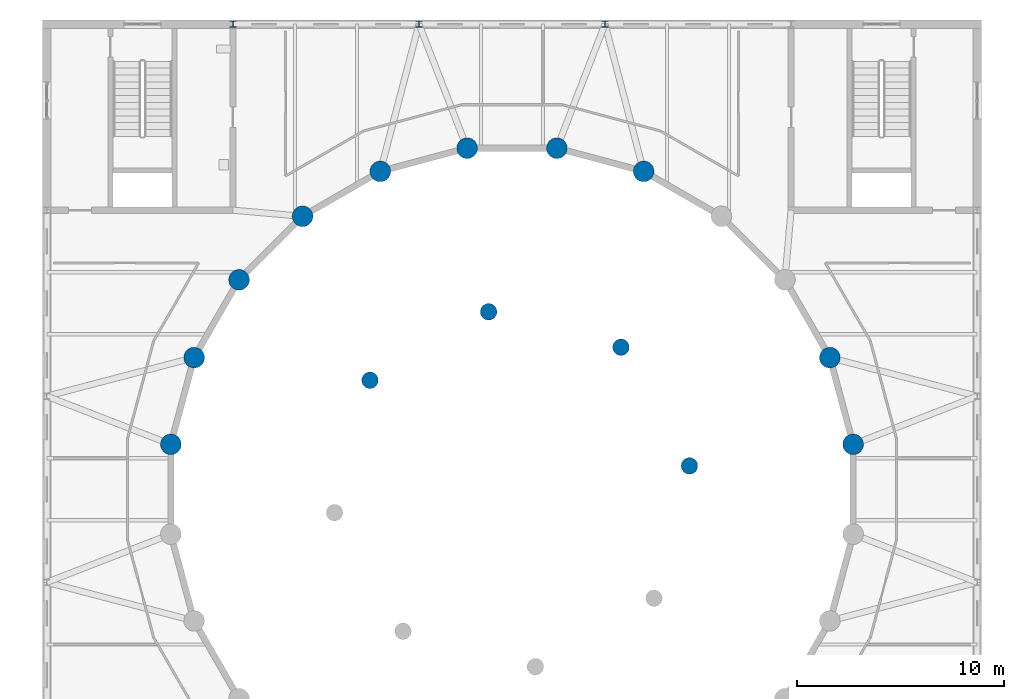
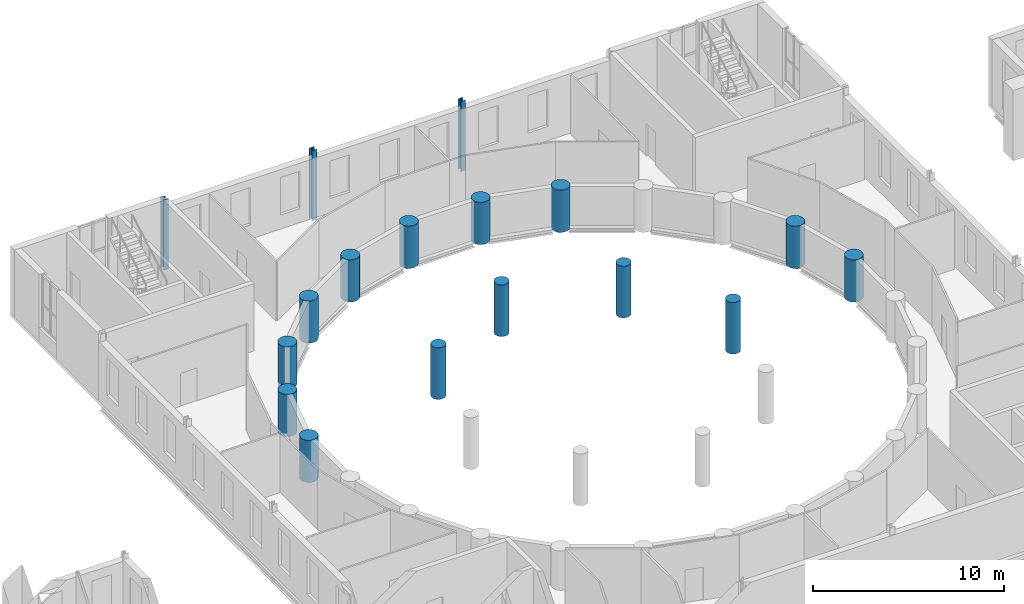
# One storey, part 14 of 134: 17 columns.
"""IFC4 building model written with IfcOpenShell, lengths in metres."""

from ifc_helpers import new_model, si_unit, direction, frame, origin, origin_2d, place, context, subcontext, project, spatial, circle, i_section, extrude, material, material_profile, profile_set, type_object, element, save


model = new_model("IFC4")

# Units and contexts
model_context = context("Model", 3, precision=1e-05, world=origin(), true_north=direction((0.0, 1.0)))
body_context = subcontext(model_context, "Body", "Model", "MODEL_VIEW")
ifc_project = project(units=[si_unit("LENGTHUNIT", "METRE"), si_unit("AREAUNIT", "SQUARE_METRE"), si_unit("VOLUMEUNIT", "CUBIC_METRE"), si_unit("PLANEANGLEUNIT", "RADIAN"), si_unit("MASSUNIT", "GRAM", prefix="KILO")], contexts=[model_context])

# Site, building, storey
site_placement = place(None, origin())
site = spatial("IfcSite", under=ifc_project, at=site_placement, CompositionType="ELEMENT")
building_placement = place(site_placement, origin())
building = spatial("IfcBuilding", under=site, at=building_placement, Name="Golden Quay Civic Hall", CompositionType="ELEMENT")
storey_placement = place(building_placement, frame((0.0, 0.0, 5.39990234375)))
storey = spatial("IfcBuildingStorey", under=building, at=storey_placement, Name="L01", CompositionType="ELEMENT", Elevation=5.39990234375)

# Columns
ifc_material_1 = material(Name="Concrete C50/60", Category="concrete")
ifc_material_profile_1 = material_profile(ifc_material_1, circle(Radius=0.5, at=origin_2d()), Name="RC D1000")
ifc_profile_set_1 = profile_set([ifc_material_profile_1], Name="Concrete C50/60")
column_type_1 = type_object("IfcColumnType", Name="Reinforced concrete column D1000", PredefinedType="COLUMN", material=ifc_profile_set_1)
for number, where, z_axis, x_axis, name in (
    (1, (102.0, 87.67236328125, -0.199951171875), (0.0, 0.0, 1.0), (1.0, 0.0, 0.0), "Rotunda colonnade column 1"),
    (2, (100.87548828125, 91.86865234375, -0.199951171875), (0.0, 0.0, 1.0), (1.0, 0.0, 0.0), "Rotunda colonnade column 2"),
    (3, (91.86865234375, 100.87548828125, -0.199951171875), (0.0, 0.0, 1.0), (1.0, 0.0, 0.0), "Rotunda colonnade column 5"),
    (4, (87.67236328125, 102.0, -0.199951171875), (0.0, 0.0, 1.0), (1.0, 0.0, 0.0), "Rotunda colonnade column 6"),
    (5, (83.32763671875, 102.0, -0.199951171875), (0.0, 0.0, 1.0), (1.0, 0.0, 0.0), "Rotunda colonnade column 7"),
    (6, (79.13134765625, 100.87548828125, -0.199951171875), (0.0, 0.0, 1.0), (1.0, 0.0, 0.0), "Rotunda colonnade column 8"),
    (7, (75.36865234375, 98.703369140625, -0.199951171875), (0.0, 0.0, 1.0), (1.0, 0.0, 0.0), "Rotunda colonnade column 9"),
    (8, (72.296630859375, 95.63134765625, -0.199951171875), (0.0, 0.0, 1.0), (1.0, 0.0, 0.0), "Rotunda colonnade column 10"),
    (9, (70.12451171875, 91.86865234375, -0.199951171875), (0.0, 0.0, 1.0), (1.0, 0.0, 0.0), "Rotunda colonnade column 11"),
    (10, (69.0, 87.67236328125, -0.199951171875), (0.0, 0.0, 1.0), (1.0, 0.0, 0.0), "Rotunda colonnade column 12"),
):
    element("IfcColumn", number, at=place(storey_placement, frame(where, z_axis=z_axis, x_axis=x_axis)), inside=storey, type_object=column_type_1, Name=name, PredefinedType="COLUMN", context=body_context, shape_type="SweptSolid", body=[
        extrude(circle(Radius=0.5, at=origin_2d()), origin(), (0.0, 0.0, 1.0), 2.699951171875),
    ])
ifc_material_2 = material(Name="Concrete C50/60", Category="concrete")
ifc_material_profile_2 = material_profile(ifc_material_2, circle(Radius=0.39990234375, at=origin_2d()), Name="RC D800")
ifc_profile_set_2 = profile_set([ifc_material_profile_2], Name="Concrete C50/60")
column_type_2 = type_object("IfcColumnType", Name="Reinforced concrete column D800", PredefinedType="COLUMN", material=ifc_profile_set_2)
for number, where, z_axis, x_axis, name in (
    (11, (94.0849609375, 86.630126953125, -0.199951171875), (0.0, 0.0, 1.0), (1.0, 0.0, 0.0), "Rotunda inner column 1"),
    (12, (90.771240234375, 92.369873046875, -0.199951171875), (0.0, 0.0, 1.0), (1.0, 0.0, 0.0), "Rotunda inner column 2"),
    (13, (84.369873046875, 94.0849609375, -0.199951171875), (0.0, 0.0, 1.0), (1.0, 0.0, 0.0), "Rotunda inner column 3"),
    (14, (78.630126953125, 90.771240234375, -0.199951171875), (0.0, 0.0, 1.0), (1.0, 0.0, 0.0), "Rotunda inner column 4"),
):
    element("IfcColumn", number, at=place(storey_placement, frame(where, z_axis=z_axis, x_axis=x_axis)), inside=storey, type_object=column_type_2, Name=name, PredefinedType="COLUMN", context=body_context, shape_type="SweptSolid", body=[
        extrude(circle(Radius=0.39990234375, at=origin_2d()), origin(), (0.0, 0.0, 1.0), 3.300048828125),
    ])
ifc_material_3 = material(Name="Steel S355", Category="steel")
ifc_material_profile_3 = material_profile(ifc_material_3, i_section(OverallWidth=0.300048828125, OverallDepth=0.300048828125, WebThickness=0.010986328125, FlangeThickness=0.01904296875, FilletRadius=0.027099609375, at=origin_2d()), Name="HEB 300")
ifc_profile_set_3 = profile_set([ifc_material_profile_3], Name="Steel S355")
column_type_3 = type_object("IfcColumnType", Name="Steel column HEB 300", PredefinedType="COLUMN", material=ifc_profile_set_3)
for number, where, z_axis, x_axis, name in (
    (15, (81.0, 108.0, -0.199951171875), (0.0, 0.0, 1.0), (1.0, 0.0, 0.0), "Base column 3"),
    (16, (90.0, 108.0, -0.199951171875), (0.0, 0.0, 1.0), (1.0, 0.0, 0.0), "Base column 4"),
    (17, (72.0, 108.0, -0.199951171875), (0.0, 0.0, 1.0), (1.0, 0.0, 0.0), "Base column 11"),
):
    element("IfcColumn", number, at=place(storey_placement, frame(where, z_axis=z_axis, x_axis=x_axis)), inside=storey, type_object=column_type_3, Name=name, PredefinedType="COLUMN", context=body_context, shape_type="SweptSolid", body=[
        extrude(i_section(OverallWidth=0.300048828125, OverallDepth=0.300048828125, WebThickness=0.010986328125, FlangeThickness=0.01904296875, FilletRadius=0.027099609375, at=origin_2d()), origin(), (0.0, 0.0, 1.0), 4.5),
    ])

save(model, "model.ifc")
